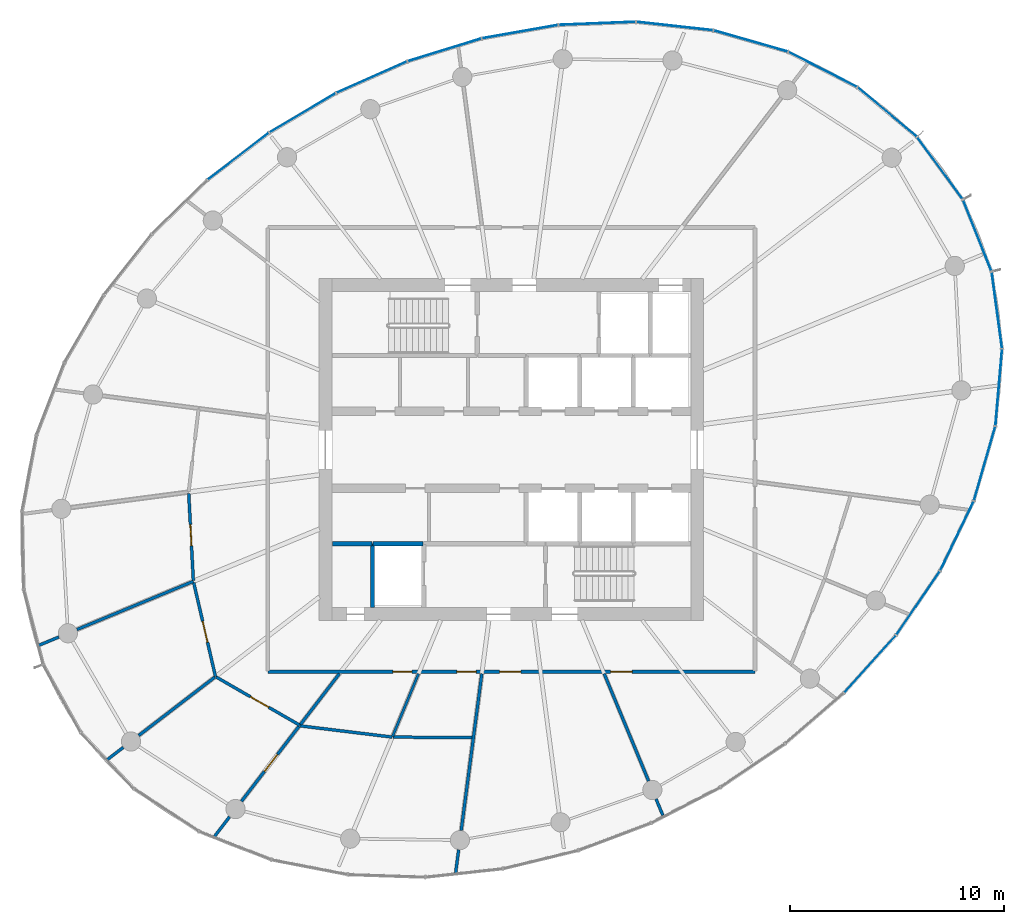
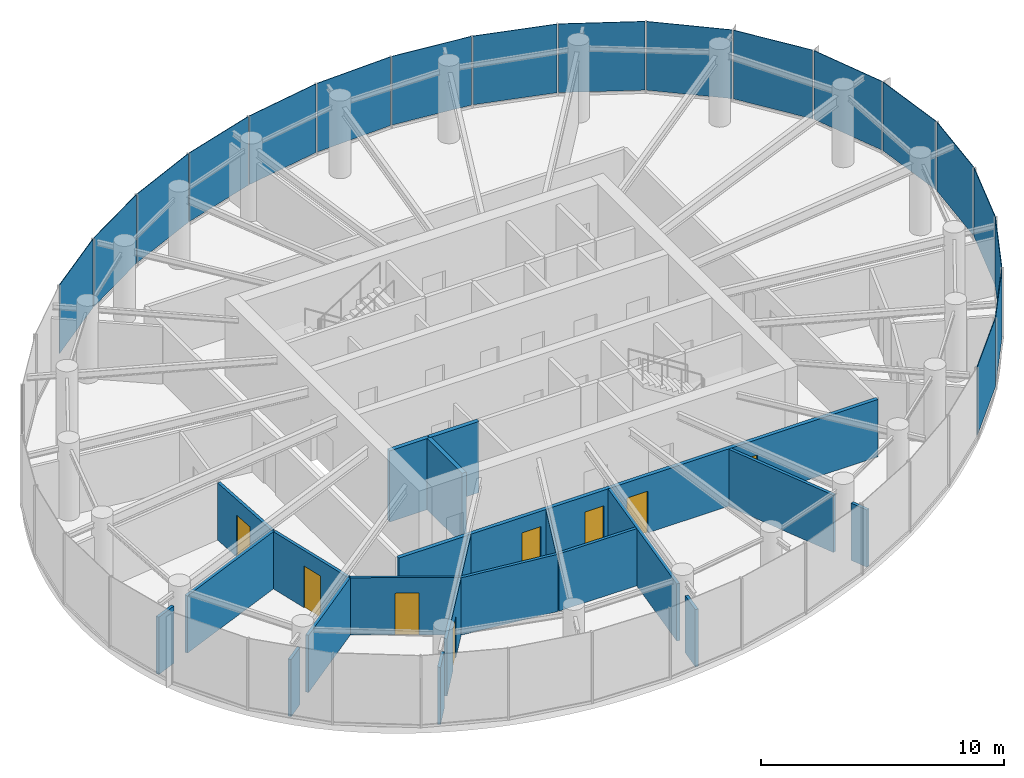
# One storey, part 8 of 13: 21 walls, 18 plates, 8 doors, 8 openings, 3 elements without a shape of their own.
"""IFC4 building model written with IfcOpenShell, lengths in metres."""

from ifc_helpers import new_model, si_unit, direction, frame, frame_2d, origin, origin_2d, place, context, subcontext, project, spatial, rectangle, extrude, source, transform, mapped, material, layer, layer_set, type_object, element, fill, aggregate, save


model = new_model("IFC4")

# Units and contexts
model_context = context("Model", 3, precision=1e-05, world=origin(), true_north=direction((0.0, 1.0)))
body_context = subcontext(model_context, "Body", "Model", "MODEL_VIEW")
ifc_project = project(units=[si_unit("LENGTHUNIT", "METRE"), si_unit("AREAUNIT", "SQUARE_METRE"), si_unit("VOLUMEUNIT", "CUBIC_METRE"), si_unit("PLANEANGLEUNIT", "RADIAN"), si_unit("MASSUNIT", "GRAM", prefix="KILO")], contexts=[model_context])

# Site, building, storey
site_placement = place(None, origin())
site = spatial("IfcSite", under=ifc_project, at=site_placement, CompositionType="ELEMENT")
building_placement = place(site_placement, origin())
building = spatial("IfcBuilding", under=site, at=building_placement, Name="Spindrift Exchange Tower", CompositionType="ELEMENT")
storey_placement = place(building_placement, frame((0.0, 0.0, 218.89990234375)))
storey = spatial("IfcBuildingStorey", under=building, at=storey_placement, Name="L53", CompositionType="ELEMENT", Elevation=218.89990234375)

# Curtain wall, plates
ifc_material_1 = material(Name="Fritted laminated glass with bronze frame", Category="glass")
ifc_layer_1 = layer(ifc_material_1, 0.169921875)
ifc_layer_set_1 = layer_set([ifc_layer_1], Name="ZONE 4 BRONZE FRITTED WALL")
curtain_wall_type = type_object("IfcCurtainWallType", Name="ZONE 4 BRONZE FRITTED WALL", PredefinedType="NOTDEFINED", material=ifc_layer_set_1)
curtain_wall_1_placement = place(storey_placement, origin())
curtain_wall_1 = element("IfcCurtainWall", 1, at=curtain_wall_1_placement, inside=storey, type_object=curtain_wall_type, Name="L53 Zone 4 Bronze Fritted Wall run 2", PredefinedType="NOTDEFINED")
ifc_material_2 = material(Name="Bronze fritted laminated glass, open frit", Category="glass")
ifc_layer_2 = layer(ifc_material_2, 0.030029296875)
ifc_layer_set_2 = layer_set([ifc_layer_2], Name="ZONE 4 BRONZE FRITTED WALL PANEL OPEN FRIT 360")
plate_type_1 = type_object("IfcPlateType", Name="ZONE 4 BRONZE FRITTED WALL PANEL OPEN FRIT 360", PredefinedType="CURTAIN_PANEL", material=ifc_layer_set_2)
shared_shape_1 = source(origin(), body_context, "Body", "SweptSolid", [
    extrude(rectangle(XDim=3.577880859375, YDim=0.030029296875, at=origin_2d()), origin(), (0.0, 0.0, 1.0), 3.455078125),
])
plate_1_placement = place(storey_placement, frame((42.23486328125, 63.76123046875, 0.125), z_axis=(0.0, 0.0, 1.0), x_axis=(-0.860446029504, -0.509541588402, 0.0)))
plate_1 = element("IfcPlate", 2, at=plate_1_placement, type_object=plate_type_1, Name="L53 panel CW-4.10", PredefinedType="CURTAIN_PANEL", context=body_context, shape_type="MappedRepresentation", body=[
    mapped(shared_shape_1, transform((0.0, 0.0, 0.0), scale=1.0)),
])
ifc_layer_3 = layer(ifc_material_2, 0.030029296875)
ifc_layer_set_3 = layer_set([ifc_layer_3], Name="ZONE 4 BRONZE FRITTED WALL PANEL OPEN FRIT 600")
plate_type_2 = type_object("IfcPlateType", Name="ZONE 4 BRONZE FRITTED WALL PANEL OPEN FRIT 600", PredefinedType="CURTAIN_PANEL", material=ifc_layer_set_3)
shared_shape_2 = source(origin(), body_context, "Body", "SweptSolid", [
    extrude(rectangle(XDim=3.577880859375, YDim=0.030029296875, at=origin_2d()), origin(), (0.0, 0.0, 1.0), 3.455078125),
])
plate_2_placement = place(storey_placement, frame((45.466552734375, 65.42919921875, 0.125), z_axis=(0.0, 0.0, 1.0), x_axis=(-0.913807926204, -0.406146616392, 0.0)))
plate_2 = element("IfcPlate", 3, at=plate_2_placement, type_object=plate_type_2, Name="L53 panel CW-4.9", PredefinedType="CURTAIN_PANEL", context=body_context, shape_type="MappedRepresentation", body=[
    mapped(shared_shape_2, transform((0.0, 0.0, 0.0), scale=1.0)),
])
ifc_layer_4 = layer(ifc_material_2, 0.030029296875)
ifc_layer_set_4 = layer_set([ifc_layer_4], Name="ZONE 4 BRONZE FRITTED WALL PANEL OPEN FRIT 480")
plate_type_3 = type_object("IfcPlateType", Name="ZONE 4 BRONZE FRITTED WALL PANEL OPEN FRIT 480", PredefinedType="CURTAIN_PANEL", material=ifc_layer_set_4)
shared_shape_3 = source(origin(), body_context, "Body", "SweptSolid", [
    extrude(rectangle(XDim=3.577392578125, YDim=0.030029296875, at=origin_2d()), origin(), (0.0, 0.0, 1.0), 3.455078125),
])
plate_3_placement = place(storey_placement, frame((52.405029296875, 67.559326171875, 0.125), z_axis=(0.0, 0.0, 1.0), x_axis=(-0.984811692711, -0.173625833043, 0.0)))
plate_3 = element("IfcPlate", 4, at=plate_3_placement, type_object=plate_type_3, Name="L53 panel CW-4.7", PredefinedType="CURTAIN_PANEL", context=body_context, shape_type="MappedRepresentation", body=[
    mapped(shared_shape_3, transform((0.0, 0.0, 0.0), scale=1.0)),
])

# Curtain wall, plate
curtain_wall_2_placement = place(storey_placement, origin())
curtain_wall_2 = element("IfcCurtainWall", 5, at=curtain_wall_2_placement, inside=storey, type_object=curtain_wall_type, Name="L53 Zone 4 Bronze Fritted Wall run 6", PredefinedType="NOTDEFINED")
plate_4_placement = place(storey_placement, frame((68.791015625, 37.96044921875, 0.125), z_axis=(0.0, 0.0, 1.0), x_axis=(0.669894204747, 0.742456567381, 0.0)))
plate_4 = element("IfcPlate", 6, at=plate_4_placement, type_object=plate_type_3, Name="L53 panel CW-4.31", PredefinedType="CURTAIN_PANEL", context=body_context, shape_type="MappedRepresentation", body=[
    mapped(shared_shape_3, transform((0.0, 0.0, 0.0), scale=1.0)),
])

curtain_wall_3_placement = place(storey_placement, origin())
curtain_wall_3 = element("IfcCurtainWall", 7, at=curtain_wall_3_placement, inside=storey, type_object=curtain_wall_type, Name="L53 Zone 4 Bronze Fritted Wall run 1", PredefinedType="NOTDEFINED")
shared_shape_4 = source(origin(), body_context, "Body", "SweptSolid", [
    extrude(rectangle(XDim=3.5703125, YDim=0.030029296875, at=origin_2d()), origin(), (0.0, 0.0, 1.0), 3.455078125),
])
plate_5_placement = place(storey_placement, frame((72.0634765625, 61.168212890625, 0.125), z_axis=(0.0, 0.0, 1.0), x_axis=(-0.590956306284, 0.806703566413, 0.0)))
plate_5 = element("IfcPlate", 8, at=plate_5_placement, type_object=plate_type_2, Name="L53 panel CW-4.1", PredefinedType="CURTAIN_PANEL", context=body_context, shape_type="MappedRepresentation", body=[
    mapped(shared_shape_4, transform((0.0, 0.0, 0.0), scale=1.0)),
])

# Plate
shared_shape_5 = source(origin(), body_context, "Body", "SweptSolid", [
    extrude(rectangle(XDim=3.571533203125, YDim=0.030029296875, at=origin_2d()), origin(), (0.0, 0.0, 1.0), 3.455078125),
])
plate_6_placement = place(storey_placement, frame((74.726806640625, 54.522705078125, 0.125), z_axis=(0.0, 0.0, 1.0), x_axis=(-0.134415111661, 0.990925112083, 0.0)))
plate_6 = element("IfcPlate", 9, at=plate_6_placement, type_object=plate_type_3, Name="L53 panel CW-4.36", PredefinedType="CURTAIN_PANEL", context=body_context, shape_type="MappedRepresentation", body=[
    mapped(shared_shape_5, transform((0.0, 0.0, 0.0), scale=1.0)),
])

shared_shape_6 = source(origin(), body_context, "Body", "SweptSolid", [
    extrude(rectangle(XDim=3.574951171875, YDim=0.030029296875, at=origin_2d()), origin(), (0.0, 0.0, 1.0), 3.455078125),
])
plate_7_placement = place(storey_placement, frame((74.152587890625, 47.347412109375, 0.125), z_axis=(0.0, 0.0, 1.0), x_axis=(0.276984292352, 0.960874446424, 0.0)))
plate_7 = element("IfcPlate", 10, at=plate_7_placement, type_object=plate_type_1, Name="L53 panel CW-4.34", PredefinedType="CURTAIN_PANEL", context=body_context, shape_type="MappedRepresentation", body=[
    mapped(shared_shape_6, transform((0.0, 0.0, 0.0), scale=1.0)),
])

shared_shape_7 = source(origin(), body_context, "Body", "SweptSolid", [
    extrude(rectangle(XDim=3.576171875, YDim=0.030029296875, at=origin_2d()), origin(), (0.0, 0.0, 1.0), 3.455078125),
])
plate_8_placement = place(storey_placement, frame((59.647216796875, 67.82080078125, 0.125), z_axis=(0.0, 0.0, 1.0), x_axis=(-0.993986783402, 0.109500111515, 0.0)))
plate_8 = element("IfcPlate", 11, at=plate_8_placement, type_object=plate_type_2, Name="L53 panel CW-4.5", PredefinedType="CURTAIN_PANEL", context=body_context, shape_type="MappedRepresentation", body=[
    mapped(shared_shape_7, transform((0.0, 0.0, 0.0), scale=1.0)),
])

shared_shape_8 = source(origin(), body_context, "Body", "SweptSolid", [
    extrude(rectangle(XDim=3.57763671875, YDim=0.030029296875, at=origin_2d()), origin(), (0.0, 0.0, 1.0), 3.455078125),
])
plate_9_placement = place(storey_placement, frame((48.871337890625, 66.7060546875, 0.125), z_axis=(0.0, 0.0, 1.0), x_axis=(-0.955530390945, -0.294892644839, 0.0)))
plate_9 = element("IfcPlate", 12, at=plate_9_placement, type_object=plate_type_2, Name="L53 panel CW-4.8", PredefinedType="CURTAIN_PANEL", context=body_context, shape_type="MappedRepresentation", body=[
    mapped(shared_shape_8, transform((0.0, 0.0, 0.0), scale=1.0)),
])

plate_10_placement = place(storey_placement, frame((39.2197265625, 61.72802734375, 0.125), z_axis=(0.0, 0.0, 1.0), x_axis=(-0.794922116784, -0.606711486827, 0.0)))
plate_10 = element("IfcPlate", 13, at=plate_10_placement, type_object=plate_type_2, Name="L53 panel CW-4.11", PredefinedType="CURTAIN_PANEL", context=body_context, shape_type="MappedRepresentation", body=[
    mapped(shared_shape_8, transform((0.0, 0.0, 0.0), scale=1.0)),
])

aggregate(curtain_wall_1, [plate_3, plate_9, plate_2, plate_1, plate_10])

shared_shape_9 = source(origin(), body_context, "Body", "SweptSolid", [
    extrude(rectangle(XDim=3.576904296875, YDim=0.030029296875, at=origin_2d()), origin(), (0.0, 0.0, 1.0), 3.455078125),
])
plate_11_placement = place(storey_placement, frame((56.01806640625, 67.94775390625, 0.125), z_axis=(0.0, 0.0, 1.0), x_axis=(-0.999212572716, -0.039676624428, 0.0)))
plate_11 = element("IfcPlate", 14, at=plate_11_placement, type_object=plate_type_3, Name="L53 panel CW-4.6", PredefinedType="CURTAIN_PANEL", context=body_context, shape_type="MappedRepresentation", body=[
    mapped(shared_shape_9, transform((0.0, 0.0, 0.0), scale=1.0)),
])

shared_shape_10 = source(origin(), body_context, "Body", "SweptSolid", [
    extrude(rectangle(XDim=3.571533203125, YDim=0.030029296875, at=origin_2d()), origin(), (0.0, 0.0, 1.0), 3.455078125),
])
plate_12_placement = place(storey_placement, frame((69.592041015625, 63.798095703125, 0.125), z_axis=(0.0, 0.0, 1.0), x_axis=(-0.768444376442, 0.639916588561, 0.0)))
plate_12 = element("IfcPlate", 15, at=plate_12_placement, type_object=plate_type_1, Name="L53 panel CW-4.2", PredefinedType="CURTAIN_PANEL", context=body_context, shape_type="MappedRepresentation", body=[
    mapped(shared_shape_10, transform((0.0, 0.0, 0.0), scale=1.0)),
])

shared_shape_11 = source(origin(), body_context, "Body", "SweptSolid", [
    extrude(rectangle(XDim=3.5703125, YDim=0.030029296875, at=origin_2d()), origin(), (0.0, 0.0, 1.0), 3.455078125),
])
plate_13_placement = place(storey_placement, frame((73.81005859375, 58.01318359375, 0.125), z_axis=(0.0, 0.0, 1.0), x_axis=(-0.369938103217, 0.92905640291, 0.0)))
plate_13 = element("IfcPlate", 16, at=plate_13_placement, type_object=plate_type_1, Name="L53 panel CW-4.37", PredefinedType="CURTAIN_PANEL", context=body_context, shape_type="MappedRepresentation", body=[
    mapped(shared_shape_11, transform((0.0, 0.0, 0.0), scale=1.0)),
])

shared_shape_12 = source(origin(), body_context, "Body", "SweptSolid", [
    extrude(rectangle(XDim=3.576904296875, YDim=0.030029296875, at=origin_2d()), origin(), (0.0, 0.0, 1.0), 3.455078125),
])
plate_14_placement = place(storey_placement, frame((71.0380859375, 40.81640625, 0.125), z_axis=(0.0, 0.0, 1.0), x_axis=(0.564036343332, 0.825749964215, 0.0)))
plate_14 = element("IfcPlate", 17, at=plate_14_placement, type_object=plate_type_1, Name="L53 panel CW-4.32", PredefinedType="CURTAIN_PANEL", context=body_context, shape_type="MappedRepresentation", body=[
    mapped(shared_shape_12, transform((0.0, 0.0, 0.0), scale=1.0)),
])

shared_shape_13 = source(origin(), body_context, "Body", "SweptSolid", [
    extrude(rectangle(XDim=3.574951171875, YDim=0.030029296875, at=origin_2d()), origin(), (0.0, 0.0, 1.0), 3.455078125),
])
plate_15_placement = place(storey_placement, frame((63.206298828125, 67.1201171875, 0.125), z_axis=(0.0, 0.0, 1.0), x_axis=(-0.961347281422, 0.275338708688, 0.0)))
plate_15 = element("IfcPlate", 18, at=plate_15_placement, type_object=plate_type_2, Name="L53 panel CW-4.4", PredefinedType="CURTAIN_PANEL", context=body_context, shape_type="MappedRepresentation", body=[
    mapped(shared_shape_13, transform((0.0, 0.0, 0.0), scale=1.0)),
])

shared_shape_14 = source(origin(), body_context, "Body", "SweptSolid", [
    extrude(rectangle(XDim=3.573486328125, YDim=0.030029296875, at=origin_2d()), origin(), (0.0, 0.0, 1.0), 3.455078125),
])
plate_16_placement = place(storey_placement, frame((74.81396484375, 50.90869140625, 0.125), z_axis=(0.0, 0.0, 1.0), x_axis=(0.086411560144, 0.996259525562, 0.0)))
plate_16 = element("IfcPlate", 19, at=plate_16_placement, type_object=plate_type_3, Name="L53 panel CW-4.35", PredefinedType="CURTAIN_PANEL", context=body_context, shape_type="MappedRepresentation", body=[
    mapped(shared_shape_14, transform((0.0, 0.0, 0.0), scale=1.0)),
])

shared_shape_15 = source(origin(), body_context, "Body", "SweptSolid", [
    extrude(rectangle(XDim=3.576171875, YDim=0.030029296875, at=origin_2d()), origin(), (0.0, 0.0, 1.0), 3.455078125),
])
plate_17_placement = place(storey_placement, frame((72.85693359375, 43.959228515625, 0.125), z_axis=(0.0, 0.0, 1.0), x_axis=(0.434868081539, 0.900494170808, 0.0)))
plate_17 = element("IfcPlate", 20, at=plate_17_placement, type_object=plate_type_1, Name="L53 panel CW-4.33", PredefinedType="CURTAIN_PANEL", context=body_context, shape_type="MappedRepresentation", body=[
    mapped(shared_shape_15, transform((0.0, 0.0, 0.0), scale=1.0)),
])

aggregate(curtain_wall_2, [plate_4, plate_14, plate_17, plate_7, plate_16, plate_6, plate_13])

shared_shape_16 = source(origin(), body_context, "Body", "SweptSolid", [
    extrude(rectangle(XDim=3.5732421875, YDim=0.030029296875, at=origin_2d()), origin(), (0.0, 0.0, 1.0), 3.455078125),
])
plate_18_placement = place(storey_placement, frame((66.575439453125, 65.790283203125, 0.125), z_axis=(0.0, 0.0, 1.0), x_axis=(-0.890188155957, 0.455593071715, 0.0)))
plate_18 = element("IfcPlate", 21, at=plate_18_placement, type_object=plate_type_1, Name="L53 panel CW-4.3", PredefinedType="CURTAIN_PANEL", context=body_context, shape_type="MappedRepresentation", body=[
    mapped(shared_shape_16, transform((0.0, 0.0, 0.0), scale=1.0)),
])

aggregate(curtain_wall_3, [plate_5, plate_12, plate_18, plate_15, plate_8, plate_11])

# Wall, openings, doors
ifc_material_3 = material(Name="Fire-rated plasterboard partition", Category="gypsum")
ifc_layer_5 = layer(ifc_material_3, 0.179931640625)
ifc_layer_set_5 = layer_set([ifc_layer_5], Name="W-CORR-180")
wall_type_1 = type_object("IfcWallType", Name="W-CORR-180", PredefinedType="PARTITIONING", material=ifc_layer_set_5)
wall_1_placement = place(storey_placement, frame((63.39990234375, 37.60009765625, 0.0), z_axis=(0.0, 0.0, 1.0), x_axis=(-1.0, 0.0, 0.0)))
wall_1 = element("IfcWall", 22, at=wall_1_placement, inside=storey, type_object=wall_type_1, Name="L53 Partition wall 28", PredefinedType="PARTITIONING", context=body_context, shape_type="SweptSolid", body=[
    extrude(rectangle(XDim=22.7998046875, YDim=0.179931640625, at=frame_2d((11.39990234375, 0.0))), origin(), (0.0, 0.0, 1.0), 2.880126953125),
])
opening_1_placement = place(wall_1_placement, frame((16.050048828125, 0.0, 0.0)))
opening_1 = element("IfcOpeningElement", 23, at=opening_1_placement, cuts=wall_1, Name="Opening L53-D19", PredefinedType="OPENING", context=body_context, shape_type="SweptSolid", body=[
    extrude(rectangle(XDim=0.89990234375, YDim=2.10009765625, at=frame_2d((0.449951171875, 1.050048828125))), frame((0.0, 0.099853515625, 0.0), z_axis=(0.0, -1.0, 0.0), x_axis=(1.0, 0.0, 0.0)), (0.0, 0.0, 1.0), 0.199951171875),
])
opening_2_placement = place(wall_1_placement, frame((13.050048828125, 0.0, 0.0)))
opening_2 = element("IfcOpeningElement", 24, at=opening_2_placement, cuts=wall_1, Name="Opening L53-D20", PredefinedType="OPENING", context=body_context, shape_type="SweptSolid", body=[
    extrude(rectangle(XDim=0.89990234375, YDim=2.10009765625, at=frame_2d((0.449951171875, 1.050048828125))), frame((0.0, 0.099853515625, 0.0), z_axis=(0.0, -1.0, 0.0), x_axis=(1.0, 0.0, 0.0)), (0.0, 0.0, 1.0), 0.199951171875),
])
opening_3_placement = place(wall_1_placement, frame((10.949951171875, 0.0, 0.0)))
opening_3 = element("IfcOpeningElement", 25, at=opening_3_placement, cuts=wall_1, Name="Opening L53-D21", PredefinedType="OPENING", context=body_context, shape_type="SweptSolid", body=[
    extrude(rectangle(XDim=1.0, YDim=2.10009765625, at=frame_2d((0.5, 1.050048828125))), frame((0.0, 0.099853515625, 0.0), z_axis=(0.0, -1.0, 0.0), x_axis=(1.0, 0.0, 0.0)), (0.0, 0.0, 1.0), 0.199951171875),
])
opening_4_placement = place(wall_1_placement, frame((5.75, 0.0, 0.0)))
opening_4 = element("IfcOpeningElement", 26, at=opening_4_placement, cuts=wall_1, Name="Opening L53-D23", PredefinedType="OPENING", context=body_context, shape_type="SweptSolid", body=[
    extrude(rectangle(XDim=1.0, YDim=2.10009765625, at=frame_2d((0.5, 1.050048828125))), frame((0.0, 0.099853515625, 0.0), z_axis=(0.0, -1.0, 0.0), x_axis=(1.0, 0.0, 0.0)), (0.0, 0.0, 1.0), 0.199951171875),
])
ifc_material_4 = material(Name="Timber-core fire door", Category="wood")
door_type_1 = type_object("IfcDoorType", Name="DR-ROOM-1000", OperationType="NOTDEFINED", PredefinedType="DOOR", material=ifc_material_4)
shared_shape_17 = source(origin(), body_context, "Body", "SweptSolid", [
    extrude(rectangle(XDim=1.0, YDim=2.10009765625, at=frame_2d((0.5, 1.050048828125))), frame((0.0, 0.02490234375, 0.0), z_axis=(0.0, -1.0, 0.0), x_axis=(1.0, 0.0, 0.0)), (0.0, 0.0, 1.0), 0.050048828125),
])
door_1_placement = place(opening_3_placement, origin())
door_1 = element("IfcDoor", 27, at=door_1_placement, inside=storey, type_object=door_type_1, Name="L53 Door 21", OperationType="SINGLE_SWING_RIGHT", OverallHeight=2.10009765625, OverallWidth=1.0, PredefinedType="DOOR", context=body_context, shape_type="MappedRepresentation", body=[
    mapped(shared_shape_17, transform((0.0, 0.0, 0.0), scale=1.0)),
])
fill(opening_3, door_1)
door_2_placement = place(opening_4_placement, origin())
door_2 = element("IfcDoor", 28, at=door_2_placement, inside=storey, type_object=door_type_1, Name="L53 Door 23", OperationType="SINGLE_SWING_RIGHT", OverallHeight=2.10009765625, OverallWidth=1.0, PredefinedType="DOOR", context=body_context, shape_type="MappedRepresentation", body=[
    mapped(shared_shape_17, transform((0.0, 0.0, 0.0), scale=1.0)),
])
fill(opening_4, door_2)
ifc_material_5 = material(Name="Laminate washroom door", Category="wood")
door_type_2 = type_object("IfcDoorType", Name="DR-WC-900", OperationType="NOTDEFINED", PredefinedType="DOOR", material=ifc_material_5)
shared_shape_18 = source(origin(), body_context, "Body", "SweptSolid", [
    extrude(rectangle(XDim=0.89990234375, YDim=2.10009765625, at=frame_2d((0.449951171875, 1.050048828125))), frame((0.0, 0.02490234375, 0.0), z_axis=(0.0, -1.0, 0.0), x_axis=(1.0, 0.0, 0.0)), (0.0, 0.0, 1.0), 0.050048828125),
])
door_3_placement = place(opening_1_placement, origin())
door_3 = element("IfcDoor", 29, at=door_3_placement, inside=storey, type_object=door_type_2, Name="L53 WC door 19", OperationType="SINGLE_SWING_RIGHT", OverallHeight=2.10009765625, OverallWidth=0.89990234375, PredefinedType="DOOR", context=body_context, shape_type="MappedRepresentation", body=[
    mapped(shared_shape_18, transform((0.0, 0.0, 0.0), scale=1.0)),
])
fill(opening_1, door_3)
door_4_placement = place(opening_2_placement, origin())
door_4 = element("IfcDoor", 30, at=door_4_placement, inside=storey, type_object=door_type_2, Name="L53 WC door 20", OperationType="SINGLE_SWING_LEFT", OverallHeight=2.10009765625, OverallWidth=0.89990234375, PredefinedType="DOOR", context=body_context, shape_type="MappedRepresentation", body=[
    mapped(shared_shape_18, transform((0.0, 0.0, 0.0), scale=1.0)),
])
fill(opening_2, door_4)

# Walls
ifc_layer_6 = layer(ifc_material_3, 0.139892578125)
ifc_layer_set_6 = layer_set([ifc_layer_6], Name="W-PART-140")
wall_type_2 = type_object("IfcWallType", Name="W-PART-140", PredefinedType="PARTITIONING", material=ifc_layer_set_6)
wall_2_placement = place(storey_placement, frame((49.65283203125, 30.17236328125, 0.0), z_axis=(0.0, 0.0, 1.0), x_axis=(0.130532164535, 0.991444075085, 0.0)))
element("IfcWall", 31, at=wall_2_placement, inside=storey, type_object=wall_type_2, Name="L53 Partition wall 33", PredefinedType="PARTITIONING", context=body_context, shape_type="SweptSolid", body=[
    extrude(rectangle(XDim=7.40087890625, YDim=0.139892578125, at=frame_2d((3.700439453125, 0.0))), origin(), (0.0, 0.0, 1.0), 2.880126953125),
])
wall_3_placement = place(storey_placement, frame((37.11962890625, 41.836181640625, 0.0), z_axis=(0.0, 0.0, 1.0), x_axis=(-0.923888768436, -0.382661134108, 0.0)))
element("IfcWall", 32, at=wall_3_placement, inside=storey, type_object=wall_type_2, Name="L53 Partition wall 35", PredefinedType="PARTITIONING", context=body_context, shape_type="SweptSolid", body=[
    extrude(rectangle(XDim=5.901611328125, YDim=0.139892578125, at=frame_2d((2.95068359375, 0.0))), origin(), (0.0, 0.0, 1.0), 2.880126953125),
])
wall_4_placement = place(storey_placement, frame((56.34521484375, 37.510009765625, 0.0), z_axis=(0.0, 0.0, 1.0), x_axis=(0.382655972885, -0.923890906122, 0.0)))
element("IfcWall", 33, at=wall_4_placement, inside=storey, type_object=wall_type_2, Name="L53 Partition wall 37", PredefinedType="PARTITIONING", context=body_context, shape_type="SweptSolid", body=[
    extrude(rectangle(XDim=5.4345703125, YDim=0.139892578125, at=frame_2d((2.71728515625, 0.0))), origin(), (0.0, 0.0, 1.0), 2.880126953125),
])

# Wall, opening, door
wall_5_placement = place(storey_placement, frame((38.15380859375, 37.37548828125, 0.0), z_axis=(0.0, 0.0, 1.0), x_axis=(-0.225883778656, 0.974154258082, 0.0)))
wall_5 = element("IfcWall", 34, at=wall_5_placement, inside=storey, type_object=wall_type_2, Name="L53 Partition wall 38", PredefinedType="PARTITIONING", context=body_context, shape_type="SweptSolid", body=[
    extrude(rectangle(XDim=4.508056640625, YDim=0.139892578125, at=frame_2d((2.25390625, 0.0))), origin(), (0.0, 0.0, 1.0), 2.880126953125),
])
opening_5_placement = place(wall_5_placement, frame((1.658203125, 0.0, 0.0)))
opening_5 = element("IfcOpeningElement", 35, at=opening_5_placement, cuts=wall_5, Name="Opening L53-D34", PredefinedType="OPENING", context=body_context, shape_type="SweptSolid", body=[
    extrude(rectangle(XDim=1.0, YDim=2.10009765625, at=frame_2d((0.5, 1.050048828125))), frame((0.0, 0.079833984375, 0.0), z_axis=(0.0, -1.0, 0.0), x_axis=(1.0, 0.0, 0.0)), (0.0, 0.0, 1.0), 0.159912109375),
])
door_5_placement = place(opening_5_placement, origin())
door_5 = element("IfcDoor", 36, at=door_5_placement, inside=storey, type_object=door_type_1, Name="L53 Door 34", OperationType="SINGLE_SWING_LEFT", OverallHeight=2.10009765625, OverallWidth=1.0, PredefinedType="DOOR", context=body_context, shape_type="MappedRepresentation", body=[
    mapped(shared_shape_17, transform((0.0, 0.0, 0.0), scale=1.0)),
])
fill(opening_5, door_5)

wall_6_placement = place(storey_placement, frame((42.10107421875, 35.099365234375, 0.0), z_axis=(0.0, 0.0, 1.0), x_axis=(-0.866291519496, 0.499538790535, 0.0)))
wall_6 = element("IfcWall", 37, at=wall_6_placement, inside=storey, type_object=wall_type_2, Name="L53 Partition wall 39", PredefinedType="PARTITIONING", context=body_context, shape_type="SweptSolid", body=[
    extrude(rectangle(XDim=4.526611328125, YDim=0.139892578125, at=frame_2d((2.26318359375, 0.0))), origin(), (0.0, 0.0, 1.0), 2.880126953125),
])
opening_6_placement = place(wall_6_placement, frame((1.676513671875, 0.0, 0.0)))
opening_6 = element("IfcOpeningElement", 38, at=opening_6_placement, cuts=wall_6, Name="Opening L53-D35", PredefinedType="OPENING", context=body_context, shape_type="SweptSolid", body=[
    extrude(rectangle(XDim=1.0, YDim=2.10009765625, at=frame_2d((0.5, 1.050048828125))), frame((0.0, 0.079833984375, 0.0), z_axis=(0.0, -1.0, 0.0), x_axis=(1.0, 0.0, 0.0)), (0.0, 0.0, 1.0), 0.159912109375),
])
door_6_placement = place(opening_6_placement, origin())
door_6 = element("IfcDoor", 39, at=door_6_placement, inside=storey, type_object=door_type_1, Name="L53 Door 35", OperationType="SINGLE_SWING_RIGHT", OverallHeight=2.10009765625, OverallWidth=1.0, PredefinedType="DOOR", context=body_context, shape_type="MappedRepresentation", body=[
    mapped(shared_shape_17, transform((0.0, 0.0, 0.0), scale=1.0)),
])
fill(opening_6, door_6)

# Wall
wall_7_placement = place(storey_placement, frame((38.130126953125, 37.357177734375, 0.0), z_axis=(0.0, 0.0, 1.0), x_axis=(-0.793359272934, -0.60875369736, 0.0)))
element("IfcWall", 40, at=wall_7_placement, inside=storey, type_object=wall_type_2, Name="L53 Partition wall 41", PredefinedType="PARTITIONING", context=body_context, shape_type="SweptSolid", body=[
    extrude(rectangle(XDim=4.501708984375, YDim=0.139892578125, at=frame_2d((2.2509765625, 0.0))), origin(), (0.0, 0.0, 1.0), 2.880126953125),
])

# Wall, opening, door
wall_8_placement = place(storey_placement, frame((42.05810546875, 35.043212890625, 0.0), z_axis=(0.0, 0.0, 1.0), x_axis=(-0.608794526213, -0.793327942816, 0.0)))
wall_8 = element("IfcWall", 41, at=wall_8_placement, inside=storey, type_object=wall_type_2, Name="L53 Partition wall 42", PredefinedType="PARTITIONING", context=body_context, shape_type="SweptSolid", body=[
    extrude(rectangle(XDim=4.4189453125, YDim=0.139892578125, at=frame_2d((2.20947265625, 0.0))), origin(), (0.0, 0.0, 1.0), 2.880126953125),
])
opening_7_placement = place(wall_8_placement, frame((1.64990234375, 0.0, 0.0)))
opening_7 = element("IfcOpeningElement", 42, at=opening_7_placement, cuts=wall_8, Name="Opening L53-D22", PredefinedType="OPENING", context=body_context, shape_type="SweptSolid", body=[
    extrude(rectangle(XDim=1.0, YDim=2.10009765625, at=frame_2d((0.5, 1.050048828125))), frame((0.0, 0.079833984375, 0.0), z_axis=(0.0, -1.0, 0.0), x_axis=(1.0, 0.0, 0.0)), (0.0, 0.0, 1.0), 0.159912109375),
])
door_7_placement = place(opening_7_placement, origin())
door_7 = element("IfcDoor", 43, at=door_7_placement, inside=storey, type_object=door_type_1, Name="L53 Door 22", OperationType="SINGLE_SWING_LEFT", OverallHeight=2.10009765625, OverallWidth=1.0, PredefinedType="DOOR", context=body_context, shape_type="MappedRepresentation", body=[
    mapped(shared_shape_17, transform((0.0, 0.0, 0.0), scale=1.0)),
])
fill(opening_7, door_7)

# Wall
wall_9_placement = place(storey_placement, frame((42.1123046875, 35.071044921875, 0.0), z_axis=(0.0, 0.0, 1.0), x_axis=(0.992646700661, -0.121047625618, 0.0)))
element("IfcWall", 44, at=wall_9_placement, inside=storey, type_object=wall_type_2, Name="L53 Partition wall 43", PredefinedType="PARTITIONING", context=body_context, shape_type="SweptSolid", body=[
    extrude(rectangle(XDim=4.346435546875, YDim=0.139892578125, at=frame_2d((2.17333984375, 0.0))), origin(), (0.0, 0.0, 1.0), 2.880126953125),
])

# Wall, opening, door
wall_10_placement = place(storey_placement, frame((37.117919921875, 41.8662109375, 0.0), z_axis=(0.0, 0.0, 1.0), x_axis=(-0.053180494254, 0.998584916285, 0.0)))
wall_10 = element("IfcWall", 45, at=wall_10_placement, inside=storey, type_object=wall_type_2, Name="L53 Partition wall 45", PredefinedType="PARTITIONING", context=body_context, shape_type="SweptSolid", body=[
    extrude(rectangle(XDim=4.081298828125, YDim=0.139892578125, at=frame_2d((2.04052734375, 0.0))), origin(), (0.0, 0.0, 1.0), 2.880126953125),
])
opening_8_placement = place(wall_10_placement, frame((1.631103515625, 0.0, 0.0)))
opening_8 = element("IfcOpeningElement", 46, at=opening_8_placement, cuts=wall_10, Name="Opening L53-D33", PredefinedType="OPENING", context=body_context, shape_type="SweptSolid", body=[
    extrude(rectangle(XDim=1.0, YDim=2.10009765625, at=frame_2d((0.5, 1.050048828125))), frame((0.0, 0.079833984375, 0.0), z_axis=(0.0, -1.0, 0.0), x_axis=(1.0, 0.0, 0.0)), (0.0, 0.0, 1.0), 0.159912109375),
])
door_8_placement = place(opening_8_placement, origin())
door_8 = element("IfcDoor", 47, at=door_8_placement, inside=storey, type_object=door_type_1, Name="L53 Door 33", OperationType="SINGLE_SWING_RIGHT", OverallHeight=2.10009765625, OverallWidth=1.0, PredefinedType="DOOR", context=body_context, shape_type="MappedRepresentation", body=[
    mapped(shared_shape_17, transform((0.0, 0.0, 0.0), scale=1.0)),
])
fill(opening_8, door_8)

# Walls
wall_11_placement = place(storey_placement, frame((46.456787109375, 34.544921875, 0.0), z_axis=(0.0, 0.0, 1.0), x_axis=(0.999971172409, -0.007593046208, 0.0)))
element("IfcWall", 48, at=wall_11_placement, inside=storey, type_object=wall_type_2, Name="L53 Partition wall 48", PredefinedType="PARTITIONING", context=body_context, shape_type="SweptSolid", body=[
    extrude(rectangle(XDim=3.697509765625, YDim=0.139892578125, at=frame_2d((1.8486328125, 0.0))), origin(), (0.0, 0.0, 1.0), 2.880126953125),
])
wall_12_placement = place(storey_placement, frame((43.95068359375, 37.510009765625, 0.0), z_axis=(0.0, 0.0, 1.0), x_axis=(-0.60873508117, -0.793373557004, 0.0)))
element("IfcWall", 49, at=wall_12_placement, inside=storey, type_object=wall_type_2, Name="L53 Partition wall 50", PredefinedType="PARTITIONING", context=body_context, shape_type="SweptSolid", body=[
    extrude(rectangle(XDim=2.98828125, YDim=0.139892578125, at=frame_2d((1.494140625, 0.0))), origin(), (0.0, 0.0, 1.0), 2.880126953125),
])
wall_13_placement = place(storey_placement, frame((38.814453125, 30.81640625, 0.0), z_axis=(0.0, 0.0, 1.0), x_axis=(-0.608692390952, -0.793406310283, 0.0)))
element("IfcWall", 50, at=wall_13_placement, inside=storey, type_object=wall_type_2, Name="L53 Partition wall 62", PredefinedType="PARTITIONING", context=body_context, shape_type="SweptSolid", body=[
    extrude(rectangle(XDim=1.1591796875, YDim=0.139892578125, at=frame_2d((0.57958984375, 0.0))), origin(), (0.0, 0.0, 1.0), 2.880126953125),
])
wall_14_placement = place(storey_placement, frame((49.392578125, 28.19384765625, 0.0), z_axis=(0.0, 0.0, 1.0), x_axis=(0.130338250237, 0.991469586284, 0.0)))
element("IfcWall", 51, at=wall_14_placement, inside=storey, type_object=wall_type_2, Name="L53 Partition wall 64", PredefinedType="PARTITIONING", context=body_context, shape_type="SweptSolid", body=[
    extrude(rectangle(XDim=1.08642578125, YDim=0.139892578125, at=frame_2d((0.543212890625, 0.0))), origin(), (0.0, 0.0, 1.0), 2.880126953125),
])
wall_15_placement = place(storey_placement, frame((30.826416015625, 39.229736328125, 0.0), z_axis=(0.0, 0.0, 1.0), x_axis=(-0.92379344364, -0.382891203199, 0.0)))
element("IfcWall", 52, at=wall_15_placement, inside=storey, type_object=wall_type_2, Name="L53 Partition wall 67", PredefinedType="PARTITIONING", context=body_context, shape_type="SweptSolid", body=[
    extrude(rectangle(XDim=1.02587890625, YDim=0.139892578125, at=frame_2d((0.512939453125, 0.0))), origin(), (0.0, 0.0, 1.0), 2.880126953125),
])
wall_16_placement = place(storey_placement, frame((33.83740234375, 34.063232421875, 0.0), z_axis=(0.0, 0.0, 1.0), x_axis=(-0.793424757602, -0.608668344852, 0.0)))
element("IfcWall", 53, at=wall_16_placement, inside=storey, type_object=wall_type_2, Name="L53 Partition wall 68", PredefinedType="PARTITIONING", context=body_context, shape_type="SweptSolid", body=[
    extrude(rectangle(XDim=0.973876953125, YDim=0.139892578125, at=frame_2d((0.48681640625, 0.0))), origin(), (0.0, 0.0, 1.0), 2.880126953125),
])
wall_17_placement = place(storey_placement, frame((58.773193359375, 31.648193359375, 0.0), z_axis=(0.0, 0.0, 1.0), x_axis=(0.382657203083, -0.923890396599, 0.0)))
element("IfcWall", 54, at=wall_17_placement, inside=storey, type_object=wall_type_2, Name="L53 Partition wall 70", PredefinedType="PARTITIONING", context=body_context, shape_type="SweptSolid", body=[
    extrude(rectangle(XDim=0.82373046875, YDim=0.139892578125, at=frame_2d((0.411865234375, 0.0))), origin(), (0.0, 0.0, 1.0), 2.880126953125),
])
ifc_material_6 = material(Name="Concrete 40 MPa", Category="concrete")
ifc_layer_7 = layer(ifc_material_6, 0.199951171875)
ifc_layer_set_7 = layer_set([ifc_layer_7], Name="W-SHAFT-200")
wall_type_3 = type_object("IfcWallType", Name="W-SHAFT-200", PredefinedType="SOLIDWALL", material=ifc_layer_set_7)
wall_18_placement = place(storey_placement, frame((45.5, 43.60009765625, 0.0), z_axis=(0.0, 0.0, 1.0), x_axis=(0.0, -1.0, 0.0)))
element("IfcWall", 55, at=wall_18_placement, inside=storey, type_object=wall_type_3, Name="L53 Shaft wall 3", PredefinedType="SOLIDWALL", context=body_context, shape_type="SweptSolid", body=[
    extrude(rectangle(XDim=2.97998046875, YDim=0.199951171875, at=frame_2d((1.489990234375, 0.0))), origin(), (0.0, 0.0, 1.0), 3.580078125),
])
wall_19_placement = place(storey_placement, frame((47.8701171875, 43.60009765625, 0.0), z_axis=(0.0, 0.0, 1.0), x_axis=(-1.0, 0.0, 0.0)))
element("IfcWall", 56, at=wall_19_placement, inside=storey, type_object=wall_type_3, Name="L53 Shaft wall 12", PredefinedType="SOLIDWALL", context=body_context, shape_type="SweptSolid", body=[
    extrude(rectangle(XDim=2.340087890625, YDim=0.199951171875, at=frame_2d((1.169921875, 0.0))), origin(), (0.0, 0.0, 1.0), 3.580078125),
])
wall_20_placement = place(storey_placement, frame((45.469970703125, 43.60009765625, 0.0), z_axis=(0.0, 0.0, 1.0), x_axis=(-1.0, 0.0, 0.0)))
element("IfcWall", 57, at=wall_20_placement, inside=storey, type_object=wall_type_3, Name="L53 Shaft wall 20", PredefinedType="SOLIDWALL", context=body_context, shape_type="SweptSolid", body=[
    extrude(rectangle(XDim=1.849853515625, YDim=0.199951171875, at=frame_2d((0.9248046875, 0.0))), origin(), (0.0, 0.0, 1.0), 3.580078125),
])
ifc_layer_8 = layer(ifc_material_3, 0.1201171875)
ifc_layer_set_8 = layer_set([ifc_layer_8], Name="W-WET-120")
wall_type_4 = type_object("IfcWallType", Name="W-WET-120", PredefinedType="PARTITIONING", material=ifc_layer_set_8)
wall_21_placement = place(storey_placement, frame((47.65478515625, 37.510009765625, 0.0), z_axis=(0.0, 0.0, 1.0), x_axis=(-0.382656992791, -0.923890483698, 0.0)))
element("IfcWall", 58, at=wall_21_placement, inside=storey, type_object=wall_type_4, Name="L53 Partition wall 71", PredefinedType="PARTITIONING", context=body_context, shape_type="SweptSolid", body=[
    extrude(rectangle(XDim=3.17919921875, YDim=0.1201171875, at=frame_2d((1.589599609375, 0.0))), origin(), (0.0, 0.0, 1.0), 2.880126953125),
])

save(model, "model.ifc")
